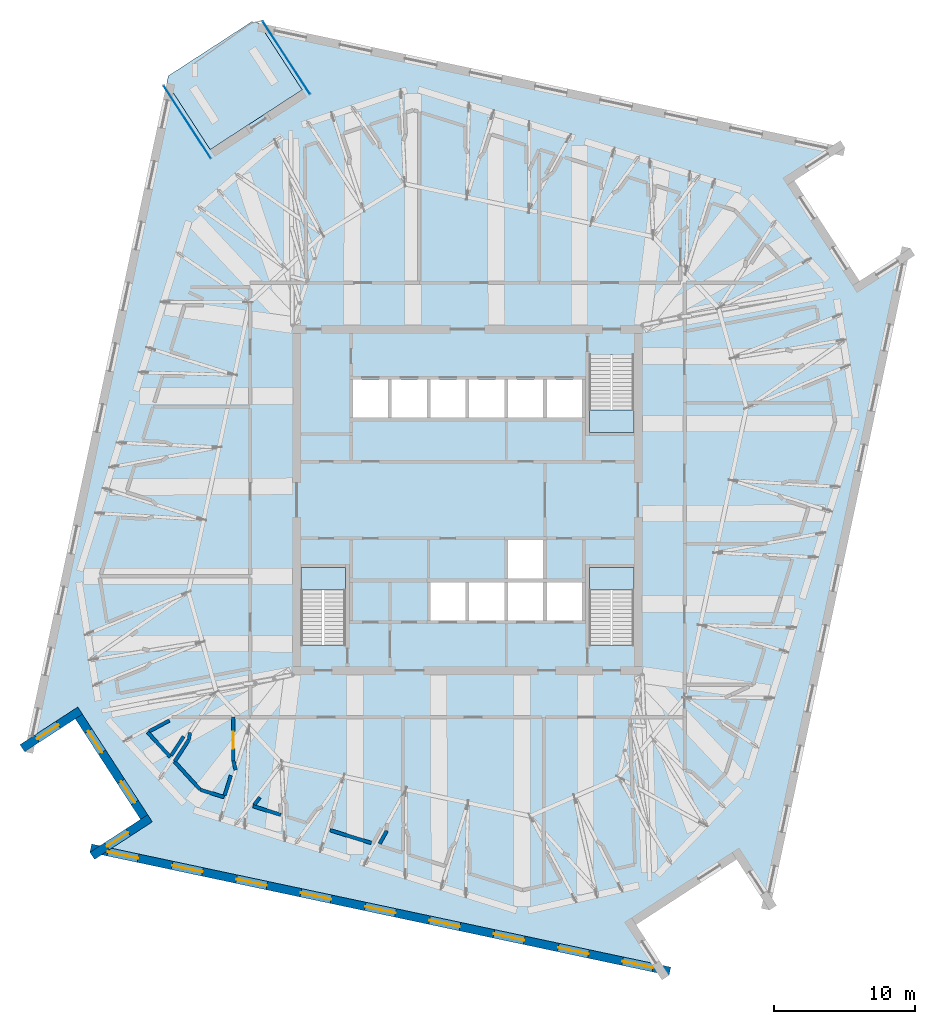
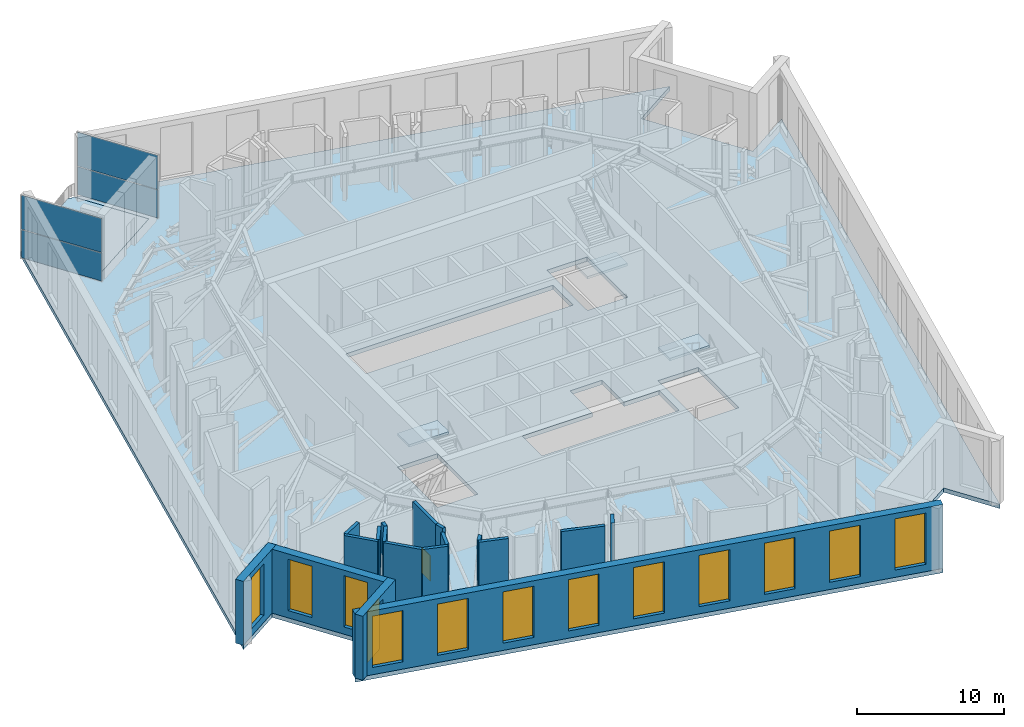
# One storey, part 6 of 19: 18 walls, 13 windows, 5 slabs, 4 plates, 1 door, 14 openings, 5 elements without a shape of their own.
"""IFC4 building model written with IfcOpenShell, lengths in metres."""

from ifc_helpers import new_model, si_unit, direction, frame, frame_2d, origin, origin_2d, place, context, subcontext, project, spatial, polyline, rectangle, outline, extrude, material, layer, layer_set, type_object, element, fill, aggregate, save


model = new_model("IFC4")

# Units and contexts
model_context = context("Model", 3, precision=1e-05, world=origin(), true_north=direction((0.0, 1.0)))
body_context = subcontext(model_context, "Body", "Model", "MODEL_VIEW")
ifc_project = project(units=[si_unit("LENGTHUNIT", "METRE"), si_unit("AREAUNIT", "SQUARE_METRE"), si_unit("VOLUMEUNIT", "CUBIC_METRE"), si_unit("PLANEANGLEUNIT", "RADIAN"), si_unit("MASSUNIT", "GRAM", prefix="KILO")], contexts=[model_context])

# Site, building, storey
site_placement = place(None, origin())
site = spatial("IfcSite", under=ifc_project, at=site_placement, CompositionType="ELEMENT")
building_placement = place(site_placement, origin())
building = spatial("IfcBuilding", under=site, at=building_placement, Name="Dilmun Exchange Tower", CompositionType="ELEMENT")
storey_placement = place(building_placement, frame((0.0, 0.0, 344.5)))
storey = spatial("IfcBuildingStorey", under=building, at=storey_placement, Name="L82", CompositionType="ELEMENT", Elevation=344.5)

# Stair, slab
ifc_material_1 = material(Name="Concrete C40/50", Category="concrete")
stair_type = type_object("IfcStairType", Name="Exit stair 1500 half-turn", PredefinedType="HALF_TURN_STAIR", material=ifc_material_1)
stair_1_placement = place(storey_placement, origin())
stair_1 = element("IfcStair", 1, at=stair_1_placement, inside=storey, type_object=stair_type, Name="L82 Protected exit stair ST1", PredefinedType="HALF_TURN_STAIR")
ifc_layer_1 = layer(ifc_material_1, 0.199951171875)
ifc_layer_set_1 = layer_set([ifc_layer_1], Name="Concrete C40/50")
slab_type_1 = type_object("IfcSlabType", Name="Exit stair landing 200", PredefinedType="LANDING", material=ifc_layer_set_1)
slab_1_placement = place(storey_placement, frame((0.0, 0.0, 2.60009765625)))
slab_1 = element("IfcSlab", 2, at=slab_1_placement, type_object=slab_type_1, Name="ST1 landing 1", PredefinedType="LANDING", context=body_context, shape_type="SweptSolid", body=[
    extrude(outline(polyline([(8.64990234375, 6.3798828125), (8.64990234375, 4.800048828125), (11.800048828125, 4.800048828125), (11.800048828125, 6.3798828125), (8.64990234375, 6.3798828125)])), origin(), (0.0, 0.0, 1.0), 0.199951171875),
])
aggregate(stair_1, [slab_1])

stair_2_placement = place(storey_placement, origin())
stair_2 = element("IfcStair", 3, at=stair_2_placement, inside=storey, type_object=stair_type, Name="L82 Protected exit stair ST2", PredefinedType="HALF_TURN_STAIR")
slab_2_placement = place(storey_placement, frame((0.0, 0.0, 2.60009765625)))
slab_2 = element("IfcSlab", 4, at=slab_2_placement, type_object=slab_type_1, Name="ST2 landing 1", PredefinedType="LANDING", context=body_context, shape_type="SweptSolid", body=[
    extrude(outline(polyline([(-8.64990234375, -6.3798828125), (-8.64990234375, -4.800048828125), (-11.800048828125, -4.800048828125), (-11.800048828125, -6.3798828125), (-8.64990234375, -6.3798828125)])), origin(), (0.0, 0.0, 1.0), 0.199951171875),
])
aggregate(stair_2, [slab_2])

stair_3_placement = place(storey_placement, origin())
stair_3 = element("IfcStair", 5, at=stair_3_placement, inside=storey, type_object=stair_type, Name="L82 Protected exit stair ST3", PredefinedType="HALF_TURN_STAIR")
slab_3_placement = place(storey_placement, frame((0.0, 0.0, 2.60009765625)))
slab_3 = element("IfcSlab", 6, at=slab_3_placement, type_object=slab_type_1, Name="ST3 landing 1", PredefinedType="LANDING", context=body_context, shape_type="SweptSolid", body=[
    extrude(outline(polyline([(11.800048828125, -6.3798828125), (11.800048828125, -4.800048828125), (8.64990234375, -4.800048828125), (8.64990234375, -6.3798828125), (11.800048828125, -6.3798828125)])), origin(), (0.0, 0.0, 1.0), 0.199951171875),
])
aggregate(stair_3, [slab_3])

# Curtain wall, plates
ifc_material_2 = material(Name="Anodised aluminium and clear glass", Category="aluminium")
curtain_wall_type = type_object("IfcCurtainWallType", Name="Garden corner glazing", PredefinedType="NOTDEFINED", material=ifc_material_2)
curtain_wall_1_placement = place(storey_placement, origin())
curtain_wall_1 = element("IfcCurtainWall", 7, at=curtain_wall_1_placement, inside=storey, type_object=curtain_wall_type, Name="Garden corner glazing run GC1.1", PredefinedType="NOTDEFINED")
ifc_material_3 = material(Name="Clear glass", Category="glass")
ifc_layer_2 = layer(ifc_material_3, 0.028076171875)
ifc_layer_set_2 = layer_set([ifc_layer_2], Name="Clear glass")
plate_type = type_object("IfcPlateType", Name="Garden corner glazing glass panel 28", PredefinedType="CURTAIN_PANEL", material=ifc_layer_set_2)
plate_1_placement = place(storey_placement, frame((-12.840087890625, 31.358642578125, 0.06005859375), z_axis=(0.0, 0.0, 1.0), x_axis=(0.54463322932, -0.838674338179, 0.0)))
plate_1 = element("IfcPlate", 8, at=plate_1_placement, type_object=plate_type, Name="GC1.1 panel 1.1", PredefinedType="CURTAIN_PANEL", context=body_context, shape_type="SweptSolid", body=[
    extrude(rectangle(XDim=6.12646484375, YDim=0.028076171875, at=origin_2d()), origin(), (0.0, 0.0, 1.0), 2.31005859375),
])
plate_2_placement = place(storey_placement, frame((-12.840087890625, 31.358642578125, 2.429931640625), z_axis=(0.0, 0.0, 1.0), x_axis=(0.54463322932, -0.838674338179, 0.0)))
plate_2 = element("IfcPlate", 9, at=plate_2_placement, type_object=plate_type, Name="GC1.1 panel 1.2", PredefinedType="CURTAIN_PANEL", context=body_context, shape_type="SweptSolid", body=[
    extrude(rectangle(XDim=6.12646484375, YDim=0.028076171875, at=origin_2d()), origin(), (0.0, 0.0, 1.0), 2.81005859375),
])
aggregate(curtain_wall_1, [plate_1, plate_2])

curtain_wall_2_placement = place(storey_placement, origin())
curtain_wall_2 = element("IfcCurtainWall", 10, at=curtain_wall_2_placement, inside=storey, type_object=curtain_wall_type, Name="Garden corner glazing run GC3.1", PredefinedType="NOTDEFINED")
plate_3_placement = place(storey_placement, frame((-19.86669921875, 26.79541015625, 0.06005859375), z_axis=(0.0, 0.0, 1.0), x_axis=(-0.54463322932, 0.838674338179, 0.0)))
plate_3 = element("IfcPlate", 11, at=plate_3_placement, type_object=plate_type, Name="GC3.1 panel 1.1", PredefinedType="CURTAIN_PANEL", context=body_context, shape_type="SweptSolid", body=[
    extrude(rectangle(XDim=6.12646484375, YDim=0.028076171875, at=origin_2d()), origin(), (0.0, 0.0, 1.0), 2.31005859375),
])
plate_4_placement = place(storey_placement, frame((-19.86669921875, 26.79541015625, 2.429931640625), z_axis=(0.0, 0.0, 1.0), x_axis=(-0.54463322932, 0.838674338179, 0.0)))
plate_4 = element("IfcPlate", 12, at=plate_4_placement, type_object=plate_type, Name="GC3.1 panel 1.2", PredefinedType="CURTAIN_PANEL", context=body_context, shape_type="SweptSolid", body=[
    extrude(rectangle(XDim=6.12646484375, YDim=0.028076171875, at=origin_2d()), origin(), (0.0, 0.0, 1.0), 2.81005859375),
])
aggregate(curtain_wall_2, [plate_3, plate_4])

# Slabs
ifc_layer_3 = layer(ifc_material_1, 0.35009765625)
ifc_layer_set_3 = layer_set([ifc_layer_3], Name="Concrete C40/50")
slab_type_2 = type_object("IfcSlabType", Name="RC floor slab 350", PredefinedType="FLOOR", material=ifc_layer_set_3)
slab_4_placement = place(storey_placement, frame((0.0, 0.0, -0.35009765625)))
element("IfcSlab", 13, at=slab_4_placement, inside=storey, type_object=slab_type_2, Name="Floor slab", PredefinedType="FLOOR", context=body_context, shape_type="SweptSolid", body=[
    extrude(outline(polyline([(23.174072265625, 22.646484375), (27.8037109375, 15.517578125), (31.397705078125, 17.851806640625), (21.42236328125, -29.0791015625), (19.088134765625, -25.48486328125), (11.95947265625, -30.1142578125), (14.293701171875, -33.70849609375), (-26.768310546875, -24.98046875), (-23.174072265625, -22.646484375), (-27.8037109375, -15.517578125), (-31.397705078125, -17.851806640625), (-21.316162109375, 29.578125), (-18.240966796875, 24.8427734375), (-11.717529296875, 29.0791015625), (-14.792724609375, 33.814453125), (26.768310546875, 24.98046875), (23.174072265625, 22.646484375)]), holes=[polyline([(-8.64990234375, -4.800048828125), (-11.800048828125, -4.800048828125), (-11.800048828125, -10.294921875), (-8.64990234375, -10.294921875), (-8.64990234375, -4.800048828125)]), polyline([(11.800048828125, -4.800048828125), (8.64990234375, -4.800048828125), (8.64990234375, -10.294921875), (11.800048828125, -10.294921875), (11.800048828125, -4.800048828125)]), polyline([(2.875, -5.85009765625), (-2.625, -5.85009765625), (-2.625, -8.550048828125), (8.125, -8.550048828125), (8.125, -5.85009765625), (5.375, -5.85009765625), (5.375, -2.85009765625), (2.875, -2.85009765625), (2.875, -5.85009765625)]), polyline([(8.125, 5.85009765625), (8.125, 8.550048828125), (-8.125, 8.550048828125), (-8.125, 5.85009765625), (8.125, 5.85009765625)]), polyline([(8.64990234375, 10.294921875), (8.64990234375, 4.800048828125), (11.800048828125, 4.800048828125), (11.800048828125, 10.294921875), (8.64990234375, 10.294921875)])]), origin(), (0.0, 0.0, 1.0), 0.35009765625),
])
ifc_layer_4 = layer(ifc_material_1, 0.300048828125)
ifc_layer_set_4 = layer_set([ifc_layer_4], Name="Concrete C40/50")
slab_type_3 = type_object("IfcSlabType", Name="RC garden terrace slab 300", PredefinedType="FLOOR", material=ifc_layer_set_4)
slab_5_placement = place(storey_placement, frame((0.0, 0.0, -0.300048828125)))
element("IfcSlab", 14, at=slab_5_placement, inside=storey, type_object=slab_type_3, Name="Garden terrace slab", PredefinedType="FLOOR", context=body_context, shape_type="SweptSolid", body=[
    extrude(outline(polyline([(-18.240966796875, 24.8427734375), (-21.316162109375, 29.578125), (-21.212158203125, 30.0673828125), (-15.281982421875, 33.91845703125), (-14.792724609375, 33.814453125), (-11.717529296875, 29.0791015625), (-18.240966796875, 24.8427734375)])), origin(), (0.0, 0.0, 1.0), 0.300048828125),
])

# Walls
ifc_material_4 = material(Name="Concrete C32/40", Category="concrete")
ifc_layer_5 = layer(ifc_material_4, 0.25)
ifc_layer_set_5 = layer_set([ifc_layer_5], Name="Concrete C32/40")
wall_type_1 = type_object("IfcWallType", Name="Plant room wall 250", PredefinedType="PARTITIONING", material=ifc_layer_set_5)
wall_1_placement = place(storey_placement, frame((-6.228271484375, -24.37060546875, 0.0), z_axis=(0.0, 0.0, 1.0), x_axis=(0.482442640443, 0.875927564746, 0.0)))
element("IfcWall", 15, at=wall_1_placement, inside=storey, type_object=wall_type_1, Name="L82 plant room wall 17", PredefinedType="PARTITIONING", context=body_context, shape_type="SweptSolid", body=[
    extrude(rectangle(XDim=1.037353515625, YDim=0.25, at=frame_2d((0.5185546875, 0.0))), origin(), (0.0, 0.0, 1.0), 5.300048828125),
])
wall_2_placement = place(storey_placement, frame((-9.728271484375, -23.416259765625, 0.0), z_axis=(0.0, 0.0, 1.0), x_axis=(0.954716292959, -0.297517730496, 0.0)))
element("IfcWall", 16, at=wall_2_placement, inside=storey, type_object=wall_type_1, Name="L82 plant room wall 19", PredefinedType="PARTITIONING", context=body_context, shape_type="SweptSolid", body=[
    extrude(rectangle(XDim=3.047607421875, YDim=0.25, at=frame_2d((1.52392578125, 0.0))), origin(), (0.0, 0.0, 1.0), 5.300048828125),
])
wall_3_placement = place(storey_placement, frame((-15.196533203125, -21.7119140625, 0.0), z_axis=(0.0, 0.0, 1.0), x_axis=(0.954684165817, -0.297620804949, 0.0)))
element("IfcWall", 17, at=wall_3_placement, inside=storey, type_object=wall_type_1, Name="L82 plant room wall 30", PredefinedType="PARTITIONING", context=body_context, shape_type="SweptSolid", body=[
    extrude(rectangle(XDim=2.0615234375, YDim=0.25, at=frame_2d((1.03076171875, 0.0))), origin(), (0.0, 0.0, 1.0), 5.300048828125),
])
wall_4_placement = place(storey_placement, frame((-15.11328125, -21.601806640625, 0.0), z_axis=(0.0, 0.0, 1.0), x_axis=(0.602746629352, 0.797932641772, 0.0)))
element("IfcWall", 18, at=wall_4_placement, inside=storey, type_object=wall_type_1, Name="L82 plant room wall 34", PredefinedType="PARTITIONING", context=body_context, shape_type="SweptSolid", body=[
    extrude(rectangle(XDim=0.63916015625, YDim=0.25, at=frame_2d((0.319580078125, 0.0))), origin(), (0.0, 0.0, 1.0), 5.300048828125),
])
wall_5_placement = place(storey_placement, frame((-18.9404296875, -20.54541015625, 0.0), z_axis=(0.0, 0.0, 1.0), x_axis=(0.95472472201, -0.297490680834, 0.0)))
element("IfcWall", 19, at=wall_5_placement, inside=storey, type_object=wall_type_1, Name="L82 plant room wall 37", PredefinedType="PARTITIONING", context=body_context, shape_type="SweptSolid", body=[
    extrude(rectangle(XDim=1.772705078125, YDim=0.25, at=frame_2d((0.88623046875, 0.0))), origin(), (0.0, 0.0, 1.0), 5.300048828125),
])
wall_6_placement = place(storey_placement, frame((-20.767578125, -18.551025390625, 0.0), z_axis=(0.0, 0.0, 1.0), x_axis=(0.6755402779, -0.737323085855, 0.0)))
element("IfcWall", 20, at=wall_6_placement, inside=storey, type_object=wall_type_1, Name="L82 plant room wall 38", PredefinedType="PARTITIONING", context=body_context, shape_type="SweptSolid", body=[
    extrude(rectangle(XDim=2.698974609375, YDim=0.25, at=frame_2d((1.349609375, 0.0))), origin(), (0.0, 0.0, 1.0), 5.300048828125),
])
wall_7_placement = place(storey_placement, frame((-17.209228515625, -20.948486328125, 0.0), z_axis=(0.0, 0.0, 1.0), x_axis=(0.297482665871, 0.954727219422, 0.0)))
element("IfcWall", 21, at=wall_7_placement, inside=storey, type_object=wall_type_1, Name="L82 plant room wall 40", PredefinedType="PARTITIONING", context=body_context, shape_type="SweptSolid", body=[
    extrude(rectangle(XDim=1.473876953125, YDim=0.25, at=frame_2d((0.73681640625, 0.0))), origin(), (0.0, 0.0, 1.0), 5.300048828125),
])
wall_8_placement = place(storey_placement, frame((-16.60009765625, -18.497314453125, 0.0), z_axis=(0.0, 0.0, 1.0), x_axis=(0.264769743837, -0.964311662663, 0.0)))
element("IfcWall", 22, at=wall_8_placement, inside=storey, type_object=wall_type_1, Name="L82 plant room wall 43", PredefinedType="PARTITIONING", context=body_context, shape_type="SweptSolid", body=[
    extrude(rectangle(XDim=0.675048828125, YDim=0.25, at=frame_2d((0.33740234375, 0.0))), origin(), (0.0, 0.0, 1.0), 5.300048828125),
])
wall_9_placement = place(storey_placement, frame((-20.756591796875, -18.5341796875, 0.0), z_axis=(0.0, 0.0, 1.0), x_axis=(0.546771742196, 0.837281710021, 0.0)))
element("IfcWall", 23, at=wall_9_placement, inside=storey, type_object=wall_type_1, Name="L82 plant room wall 45", PredefinedType="PARTITIONING", context=body_context, shape_type="SweptSolid", body=[
    extrude(rectangle(XDim=1.83203125, YDim=0.25, at=frame_2d((0.916015625, 0.0))), origin(), (0.0, 0.0, 1.0), 5.300048828125),
])

# Wall, opening, door
wall_10_placement = place(storey_placement, frame((-16.60009765625, -18.4921875, 0.0), z_axis=(0.0, 0.0, 1.0), x_axis=(0.0, 1.0, 0.0)))
wall_10 = element("IfcWall", 24, at=wall_10_placement, inside=storey, type_object=wall_type_1, Name="L82 plant room wall 46", PredefinedType="PARTITIONING", context=body_context, shape_type="SweptSolid", body=[
    extrude(rectangle(XDim=3.09228515625, YDim=0.25, at=frame_2d((1.546142578125, 0.0))), origin(), (0.0, 0.0, 1.0), 5.300048828125),
])
opening_1_placement = place(wall_10_placement, frame((0.86669921875, 0.0, 0.0)))
opening_1 = element("IfcOpeningElement", 25, at=opening_1_placement, cuts=wall_10, Name="Opening PD2", PredefinedType="OPENING", context=body_context, shape_type="SweptSolid", body=[
    extrude(rectangle(XDim=1.199951171875, YDim=2.10009765625, at=frame_2d((0.60009765625, 1.050048828125))), frame((0.0, 0.135009765625, 0.0), z_axis=(0.0, -1.0, 0.0), x_axis=(1.0, 0.0, 0.0)), (0.0, 0.0, 1.0), 0.27001953125),
])
ifc_material_5 = material(Name="Fire-rated steel door set", Category="steel")
door_type = type_object("IfcDoorType", Name="Plant room door 1200x2100", OperationType="SINGLE_SWING_LEFT", PredefinedType="DOOR", material=ifc_material_5)
door_placement = place(opening_1_placement, origin())
door = element("IfcDoor", 26, at=door_placement, inside=storey, type_object=door_type, Name="L82 door Electrical plant room", OperationType="SINGLE_SWING_RIGHT", OverallHeight=2.10009765625, OverallWidth=1.199951171875, PredefinedType="DOOR", context=body_context, shape_type="SweptSolid", body=[
    extrude(rectangle(XDim=1.199951171875, YDim=2.10009765625, at=frame_2d((0.60009765625, 1.050048828125))), frame((0.0, 0.02490234375, 0.0), z_axis=(0.0, -1.0, 0.0), x_axis=(1.0, 0.0, 0.0)), (0.0, 0.0, 1.0), 0.050048828125),
])
fill(opening_1, door)

# Walls
wall_11_placement = place(storey_placement, frame((-22.680419921875, -16.463134765625, 0.0), z_axis=(0.0, 0.0, 1.0), x_axis=(0.675511338211, -0.737349599545, 0.0)))
element("IfcWall", 27, at=wall_11_placement, inside=storey, type_object=wall_type_1, Name="L82 plant room wall 47", PredefinedType="PARTITIONING", context=body_context, shape_type="SweptSolid", body=[
    extrude(rectangle(XDim=2.384521484375, YDim=0.25, at=frame_2d((1.1923828125, 0.0))), origin(), (0.0, 0.0, 1.0), 5.300048828125),
])
wall_12_placement = place(storey_placement, frame((-19.74462890625, -16.972900390625, 0.0), z_axis=(0.0, 0.0, 1.0), x_axis=(0.141774522204, 0.989898977095, 0.0)))
element("IfcWall", 28, at=wall_12_placement, inside=storey, type_object=wall_type_1, Name="L82 plant room wall 48", PredefinedType="PARTITIONING", context=body_context, shape_type="SweptSolid", body=[
    extrude(rectangle(XDim=0.48388671875, YDim=0.25, at=frame_2d((0.241943359375, 0.0))), origin(), (0.0, 0.0, 1.0), 5.300048828125),
])
wall_13_placement = place(storey_placement, frame((-20.99609375, -18.109130859375, 0.0), z_axis=(0.0, 0.0, 1.0), x_axis=(0.546717180578, 0.837317337968, 0.0)))
element("IfcWall", 29, at=wall_13_placement, inside=storey, type_object=wall_type_1, Name="L82 plant room wall 50", PredefinedType="PARTITIONING", context=body_context, shape_type="SweptSolid", body=[
    extrude(rectangle(XDim=1.607177734375, YDim=0.25, at=frame_2d((0.8037109375, 0.0))), origin(), (0.0, 0.0, 1.0), 5.300048828125),
])
wall_14_placement = place(storey_placement, frame((-22.56201171875, -16.39990234375, 0.0), z_axis=(0.0, 0.0, 1.0), x_axis=(0.881814029952, 0.471597303406, 0.0)))
element("IfcWall", 30, at=wall_14_placement, inside=storey, type_object=wall_type_1, Name="L82 plant room wall 51", PredefinedType="PARTITIONING", context=body_context, shape_type="SweptSolid", body=[
    extrude(rectangle(XDim=1.60693359375, YDim=0.25, at=frame_2d((0.803466796875, 0.0))), origin(), (0.0, 0.0, 1.0), 5.300048828125),
])

# Wall, opening, window
ifc_material_6 = material(Name="Precast concrete C50/60", Category="concrete")
ifc_layer_6 = layer(ifc_material_6, 0.60009765625)
ifc_layer_set_6 = layer_set([ifc_layer_6], Name="Precast concrete C50/60")
wall_type_2 = type_object("IfcWallType", Name="Precast stone-clad wall 600", PredefinedType="STANDARD", material=ifc_layer_set_6)
wall_15_placement = place(storey_placement, frame((-31.56103515625, -17.60009765625, 0.0), z_axis=(0.0, 0.0, 1.0), x_axis=(0.838670742256, 0.5446387666, 0.0)))
wall_15 = element("IfcWall", 31, at=wall_15_placement, inside=storey, type_object=wall_type_2, Name="Facade wall L82-04", PredefinedType="STANDARD", context=body_context, shape_type="SweptSolid", body=[
    extrude(rectangle(XDim=4.885498046875, YDim=0.60009765625, at=frame_2d((2.44287109375, 0.0))), origin(), (0.0, 0.0, 1.0), 5.300048828125),
])
opening_2_placement = place(wall_15_placement, frame((1.242919921875, 0.0, 0.60009765625)))
opening_2 = element("IfcOpeningElement", 32, at=opening_2_placement, cuts=wall_15, Name="Opening LV180-425", PredefinedType="OPENING", context=body_context, shape_type="SweptSolid", body=[
    extrude(rectangle(XDim=1.800048828125, YDim=4.25, at=frame_2d((0.89990234375, 2.125))), frame((0.0, 0.31005859375, 0.0), z_axis=(0.0, -1.0, 0.0), x_axis=(1.0, 0.0, 0.0)), (0.0, 0.0, 1.0), 0.6201171875),
])
ifc_material_7 = material(Name="Anodised aluminium louvre blades with sand trap", Category="aluminium")
window_type_1 = type_object("IfcWindowType", Name="Plant louvre 1800 x 4250", PartitioningType="SINGLE_PANEL", PredefinedType="USERDEFINED", material=ifc_material_7)
window_1_placement = place(opening_2_placement, origin())
window_1 = element("IfcWindow", 33, at=window_1_placement, inside=storey, type_object=window_type_1, Name="Plant louvre 5.1", ObjectType="LOUVRE", OverallHeight=4.25, OverallWidth=1.800048828125, PartitioningType="SINGLE_PANEL", PredefinedType="USERDEFINED", context=body_context, shape_type="SweptSolid", body=[
    extrude(rectangle(XDim=1.800048828125, YDim=4.25, at=frame_2d((0.89990234375, 2.125))), frame((0.0, 0.030029296875, 0.0), z_axis=(0.0, -1.0, 0.0), x_axis=(1.0, 0.0, 0.0)), (0.0, 0.0, 1.0), 0.06005859375),
])
fill(opening_2, window_1)

# Wall, openings, windows
wall_16_placement = place(storey_placement, frame((-27.552001953125, -15.354248046875, 0.0), z_axis=(0.0, 0.0, 1.0), x_axis=(0.544637978142, -0.838671254286, 0.0)))
wall_16 = element("IfcWall", 34, at=wall_16_placement, inside=storey, type_object=wall_type_2, Name="Facade wall L82-05", PredefinedType="STANDARD", context=body_context, shape_type="SweptSolid", body=[
    extrude(rectangle(XDim=8.5, YDim=0.60009765625, at=frame_2d((4.25, 0.0))), origin(), (0.0, 0.0, 1.0), 5.300048828125),
])
opening_3_placement = place(wall_16_placement, frame((1.22509765625, 0.0, 0.60009765625)))
opening_3 = element("IfcOpeningElement", 35, at=opening_3_placement, cuts=wall_16, Name="Opening LV180-425", PredefinedType="OPENING", context=body_context, shape_type="SweptSolid", body=[
    extrude(rectangle(XDim=1.800048828125, YDim=4.25, at=frame_2d((0.89990234375, 2.125))), frame((0.0, 0.31005859375, 0.0), z_axis=(0.0, -1.0, 0.0), x_axis=(1.0, 0.0, 0.0)), (0.0, 0.0, 1.0), 0.6201171875),
])
opening_4_placement = place(wall_16_placement, frame((5.47509765625, 0.0, 0.60009765625)))
opening_4 = element("IfcOpeningElement", 36, at=opening_4_placement, cuts=wall_16, Name="Opening LV180-425", PredefinedType="OPENING", context=body_context, shape_type="SweptSolid", body=[
    extrude(rectangle(XDim=1.800048828125, YDim=4.25, at=frame_2d((0.89990234375, 2.125))), frame((0.0, 0.31005859375, 0.0), z_axis=(0.0, -1.0, 0.0), x_axis=(1.0, 0.0, 0.0)), (0.0, 0.0, 1.0), 0.6201171875),
])
window_2_placement = place(opening_3_placement, origin())
window_2 = element("IfcWindow", 37, at=window_2_placement, inside=storey, type_object=window_type_1, Name="Plant louvre 6.1", ObjectType="LOUVRE", OverallHeight=4.25, OverallWidth=1.800048828125, PartitioningType="SINGLE_PANEL", PredefinedType="USERDEFINED", context=body_context, shape_type="SweptSolid", body=[
    extrude(rectangle(XDim=1.800048828125, YDim=4.25, at=frame_2d((0.89990234375, 2.125))), frame((0.0, 0.030029296875, 0.0), z_axis=(0.0, -1.0, 0.0), x_axis=(1.0, 0.0, 0.0)), (0.0, 0.0, 1.0), 0.06005859375),
])
fill(opening_3, window_2)
window_3_placement = place(opening_4_placement, origin())
window_3 = element("IfcWindow", 38, at=window_3_placement, inside=storey, type_object=window_type_1, Name="Plant louvre 6.2", ObjectType="LOUVRE", OverallHeight=4.25, OverallWidth=1.800048828125, PartitioningType="SINGLE_PANEL", PredefinedType="USERDEFINED", context=body_context, shape_type="SweptSolid", body=[
    extrude(rectangle(XDim=1.800048828125, YDim=4.25, at=frame_2d((0.89990234375, 2.125))), frame((0.0, 0.030029296875, 0.0), z_axis=(0.0, -1.0, 0.0), x_axis=(1.0, 0.0, 0.0)), (0.0, 0.0, 1.0), 0.06005859375),
])
fill(opening_4, window_3)

# Wall, opening, window
wall_17_placement = place(storey_placement, frame((-22.507568359375, -22.5712890625, 0.0), z_axis=(0.0, 0.0, 1.0), x_axis=(-0.838693567727, -0.54460361682, 0.0)))
wall_17 = element("IfcWall", 39, at=wall_17_placement, inside=storey, type_object=wall_type_2, Name="Facade wall L82-06", PredefinedType="STANDARD", context=body_context, shape_type="SweptSolid", body=[
    extrude(rectangle(XDim=4.885498046875, YDim=0.60009765625, at=frame_2d((2.44287109375, 0.0))), origin(), (0.0, 0.0, 1.0), 5.300048828125),
])
opening_5_placement = place(wall_17_placement, frame((1.8427734375, 0.0, 0.60009765625)))
opening_5 = element("IfcOpeningElement", 40, at=opening_5_placement, cuts=wall_17, Name="Opening LV180-425", PredefinedType="OPENING", context=body_context, shape_type="SweptSolid", body=[
    extrude(rectangle(XDim=1.800048828125, YDim=4.25, at=frame_2d((0.89990234375, 2.125))), frame((0.0, 0.31005859375, 0.0), z_axis=(0.0, -1.0, 0.0), x_axis=(1.0, 0.0, 0.0)), (0.0, 0.0, 1.0), 0.6201171875),
])
window_4_placement = place(opening_5_placement, origin())
window_4 = element("IfcWindow", 41, at=window_4_placement, inside=storey, type_object=window_type_1, Name="Plant louvre 7.1", ObjectType="LOUVRE", OverallHeight=4.25, OverallWidth=1.800048828125, PartitioningType="SINGLE_PANEL", PredefinedType="USERDEFINED", context=body_context, shape_type="SweptSolid", body=[
    extrude(rectangle(XDim=1.800048828125, YDim=4.25, at=frame_2d((0.89990234375, 2.125))), frame((0.0, 0.030029296875, 0.0), z_axis=(0.0, -1.0, 0.0), x_axis=(1.0, 0.0, 0.0)), (0.0, 0.0, 1.0), 0.06005859375),
])
fill(opening_5, window_4)

# Wall, openings, windows
wall_18_placement = place(storey_placement, frame((-26.705810546875, -24.68701171875, 0.0), z_axis=(0.0, 0.0, 1.0), x_axis=(0.978147216992, -0.207913496171, 0.0)))
wall_18 = element("IfcWall", 42, at=wall_18_placement, inside=storey, type_object=wall_type_2, Name="Facade wall L82-07", PredefinedType="STANDARD", context=body_context, shape_type="SweptSolid", body=[
    extrude(rectangle(XDim=41.979248046875, YDim=0.60009765625, at=frame_2d((20.98974609375, 0.0))), origin(), (0.0, 0.0, 1.0), 5.300048828125),
])
opening_6_placement = place(wall_18_placement, frame((1.232177734375, 0.0, 0.60009765625)))
opening_6 = element("IfcOpeningElement", 43, at=opening_6_placement, cuts=wall_18, Name="Opening LV220-425", PredefinedType="OPENING", context=body_context, shape_type="SweptSolid", body=[
    extrude(rectangle(XDim=2.199951171875, YDim=4.25, at=frame_2d((1.10009765625, 2.125))), frame((0.0, 0.31005859375, 0.0), z_axis=(0.0, -1.0, 0.0), x_axis=(1.0, 0.0, 0.0)), (0.0, 0.0, 1.0), 0.6201171875),
])
opening_7_placement = place(wall_18_placement, frame((5.896484375, 0.0, 0.60009765625)))
opening_7 = element("IfcOpeningElement", 44, at=opening_7_placement, cuts=wall_18, Name="Opening LV220-425", PredefinedType="OPENING", context=body_context, shape_type="SweptSolid", body=[
    extrude(rectangle(XDim=2.199951171875, YDim=4.25, at=frame_2d((1.10009765625, 2.125))), frame((0.0, 0.31005859375, 0.0), z_axis=(0.0, -1.0, 0.0), x_axis=(1.0, 0.0, 0.0)), (0.0, 0.0, 1.0), 0.6201171875),
])
opening_8_placement = place(wall_18_placement, frame((10.560791015625, 0.0, 0.60009765625)))
opening_8 = element("IfcOpeningElement", 45, at=opening_8_placement, cuts=wall_18, Name="Opening LV220-425", PredefinedType="OPENING", context=body_context, shape_type="SweptSolid", body=[
    extrude(rectangle(XDim=2.199951171875, YDim=4.25, at=frame_2d((1.10009765625, 2.125))), frame((0.0, 0.31005859375, 0.0), z_axis=(0.0, -1.0, 0.0), x_axis=(1.0, 0.0, 0.0)), (0.0, 0.0, 1.0), 0.6201171875),
])
opening_9_placement = place(wall_18_placement, frame((15.22509765625, 0.0, 0.60009765625)))
opening_9 = element("IfcOpeningElement", 46, at=opening_9_placement, cuts=wall_18, Name="Opening LV220-425", PredefinedType="OPENING", context=body_context, shape_type="SweptSolid", body=[
    extrude(rectangle(XDim=2.199951171875, YDim=4.25, at=frame_2d((1.10009765625, 2.125))), frame((0.0, 0.31005859375, 0.0), z_axis=(0.0, -1.0, 0.0), x_axis=(1.0, 0.0, 0.0)), (0.0, 0.0, 1.0), 0.6201171875),
])
opening_10_placement = place(wall_18_placement, frame((19.8896484375, 0.0, 0.60009765625)))
opening_10 = element("IfcOpeningElement", 47, at=opening_10_placement, cuts=wall_18, Name="Opening LV220-425", PredefinedType="OPENING", context=body_context, shape_type="SweptSolid", body=[
    extrude(rectangle(XDim=2.199951171875, YDim=4.25, at=frame_2d((1.10009765625, 2.125))), frame((0.0, 0.31005859375, 0.0), z_axis=(0.0, -1.0, 0.0), x_axis=(1.0, 0.0, 0.0)), (0.0, 0.0, 1.0), 0.6201171875),
])
opening_11_placement = place(wall_18_placement, frame((24.553955078125, 0.0, 0.60009765625)))
opening_11 = element("IfcOpeningElement", 48, at=opening_11_placement, cuts=wall_18, Name="Opening LV220-425", PredefinedType="OPENING", context=body_context, shape_type="SweptSolid", body=[
    extrude(rectangle(XDim=2.199951171875, YDim=4.25, at=frame_2d((1.10009765625, 2.125))), frame((0.0, 0.31005859375, 0.0), z_axis=(0.0, -1.0, 0.0), x_axis=(1.0, 0.0, 0.0)), (0.0, 0.0, 1.0), 0.6201171875),
])
opening_12_placement = place(wall_18_placement, frame((29.21826171875, 0.0, 0.60009765625)))
opening_12 = element("IfcOpeningElement", 49, at=opening_12_placement, cuts=wall_18, Name="Opening LV220-425", PredefinedType="OPENING", context=body_context, shape_type="SweptSolid", body=[
    extrude(rectangle(XDim=2.199951171875, YDim=4.25, at=frame_2d((1.10009765625, 2.125))), frame((0.0, 0.31005859375, 0.0), z_axis=(0.0, -1.0, 0.0), x_axis=(1.0, 0.0, 0.0)), (0.0, 0.0, 1.0), 0.6201171875),
])
opening_13_placement = place(wall_18_placement, frame((33.8828125, 0.0, 0.60009765625)))
opening_13 = element("IfcOpeningElement", 50, at=opening_13_placement, cuts=wall_18, Name="Opening LV220-425", PredefinedType="OPENING", context=body_context, shape_type="SweptSolid", body=[
    extrude(rectangle(XDim=2.199951171875, YDim=4.25, at=frame_2d((1.10009765625, 2.125))), frame((0.0, 0.31005859375, 0.0), z_axis=(0.0, -1.0, 0.0), x_axis=(1.0, 0.0, 0.0)), (0.0, 0.0, 1.0), 0.6201171875),
])
opening_14_placement = place(wall_18_placement, frame((38.547119140625, 0.0, 0.60009765625)))
opening_14 = element("IfcOpeningElement", 51, at=opening_14_placement, cuts=wall_18, Name="Opening LV220-425", PredefinedType="OPENING", context=body_context, shape_type="SweptSolid", body=[
    extrude(rectangle(XDim=2.199951171875, YDim=4.25, at=frame_2d((1.10009765625, 2.125))), frame((0.0, 0.31005859375, 0.0), z_axis=(0.0, -1.0, 0.0), x_axis=(1.0, 0.0, 0.0)), (0.0, 0.0, 1.0), 0.6201171875),
])
window_type_2 = type_object("IfcWindowType", Name="Plant louvre 2200 x 4250", PartitioningType="SINGLE_PANEL", PredefinedType="USERDEFINED", material=ifc_material_7)
window_5_placement = place(opening_6_placement, origin())
window_5 = element("IfcWindow", 52, at=window_5_placement, inside=storey, type_object=window_type_2, Name="Plant louvre 8.1", ObjectType="LOUVRE", OverallHeight=4.25, OverallWidth=2.199951171875, PartitioningType="SINGLE_PANEL", PredefinedType="USERDEFINED", context=body_context, shape_type="SweptSolid", body=[
    extrude(rectangle(XDim=2.199951171875, YDim=4.25, at=frame_2d((1.10009765625, 2.125))), frame((0.0, 0.030029296875, 0.0), z_axis=(0.0, -1.0, 0.0), x_axis=(1.0, 0.0, 0.0)), (0.0, 0.0, 1.0), 0.06005859375),
])
fill(opening_6, window_5)
window_6_placement = place(opening_7_placement, origin())
window_6 = element("IfcWindow", 53, at=window_6_placement, inside=storey, type_object=window_type_2, Name="Plant louvre 8.2", ObjectType="LOUVRE", OverallHeight=4.25, OverallWidth=2.199951171875, PartitioningType="SINGLE_PANEL", PredefinedType="USERDEFINED", context=body_context, shape_type="SweptSolid", body=[
    extrude(rectangle(XDim=2.199951171875, YDim=4.25, at=frame_2d((1.10009765625, 2.125))), frame((0.0, 0.030029296875, 0.0), z_axis=(0.0, -1.0, 0.0), x_axis=(1.0, 0.0, 0.0)), (0.0, 0.0, 1.0), 0.06005859375),
])
fill(opening_7, window_6)
window_7_placement = place(opening_8_placement, origin())
window_7 = element("IfcWindow", 54, at=window_7_placement, inside=storey, type_object=window_type_2, Name="Plant louvre 8.3", ObjectType="LOUVRE", OverallHeight=4.25, OverallWidth=2.199951171875, PartitioningType="SINGLE_PANEL", PredefinedType="USERDEFINED", context=body_context, shape_type="SweptSolid", body=[
    extrude(rectangle(XDim=2.199951171875, YDim=4.25, at=frame_2d((1.10009765625, 2.125))), frame((0.0, 0.030029296875, 0.0), z_axis=(0.0, -1.0, 0.0), x_axis=(1.0, 0.0, 0.0)), (0.0, 0.0, 1.0), 0.06005859375),
])
fill(opening_8, window_7)
window_8_placement = place(opening_9_placement, origin())
window_8 = element("IfcWindow", 55, at=window_8_placement, inside=storey, type_object=window_type_2, Name="Plant louvre 8.4", ObjectType="LOUVRE", OverallHeight=4.25, OverallWidth=2.199951171875, PartitioningType="SINGLE_PANEL", PredefinedType="USERDEFINED", context=body_context, shape_type="SweptSolid", body=[
    extrude(rectangle(XDim=2.199951171875, YDim=4.25, at=frame_2d((1.10009765625, 2.125))), frame((0.0, 0.030029296875, 0.0), z_axis=(0.0, -1.0, 0.0), x_axis=(1.0, 0.0, 0.0)), (0.0, 0.0, 1.0), 0.06005859375),
])
fill(opening_9, window_8)
window_9_placement = place(opening_10_placement, origin())
window_9 = element("IfcWindow", 56, at=window_9_placement, inside=storey, type_object=window_type_2, Name="Plant louvre 8.5", ObjectType="LOUVRE", OverallHeight=4.25, OverallWidth=2.199951171875, PartitioningType="SINGLE_PANEL", PredefinedType="USERDEFINED", context=body_context, shape_type="SweptSolid", body=[
    extrude(rectangle(XDim=2.199951171875, YDim=4.25, at=frame_2d((1.10009765625, 2.125))), frame((0.0, 0.030029296875, 0.0), z_axis=(0.0, -1.0, 0.0), x_axis=(1.0, 0.0, 0.0)), (0.0, 0.0, 1.0), 0.06005859375),
])
fill(opening_10, window_9)
window_10_placement = place(opening_11_placement, origin())
window_10 = element("IfcWindow", 57, at=window_10_placement, inside=storey, type_object=window_type_2, Name="Plant louvre 8.6", ObjectType="LOUVRE", OverallHeight=4.25, OverallWidth=2.199951171875, PartitioningType="SINGLE_PANEL", PredefinedType="USERDEFINED", context=body_context, shape_type="SweptSolid", body=[
    extrude(rectangle(XDim=2.199951171875, YDim=4.25, at=frame_2d((1.10009765625, 2.125))), frame((0.0, 0.030029296875, 0.0), z_axis=(0.0, -1.0, 0.0), x_axis=(1.0, 0.0, 0.0)), (0.0, 0.0, 1.0), 0.06005859375),
])
fill(opening_11, window_10)
window_11_placement = place(opening_12_placement, origin())
window_11 = element("IfcWindow", 58, at=window_11_placement, inside=storey, type_object=window_type_2, Name="Plant louvre 8.7", ObjectType="LOUVRE", OverallHeight=4.25, OverallWidth=2.199951171875, PartitioningType="SINGLE_PANEL", PredefinedType="USERDEFINED", context=body_context, shape_type="SweptSolid", body=[
    extrude(rectangle(XDim=2.199951171875, YDim=4.25, at=frame_2d((1.10009765625, 2.125))), frame((0.0, 0.030029296875, 0.0), z_axis=(0.0, -1.0, 0.0), x_axis=(1.0, 0.0, 0.0)), (0.0, 0.0, 1.0), 0.06005859375),
])
fill(opening_12, window_11)
window_12_placement = place(opening_13_placement, origin())
window_12 = element("IfcWindow", 59, at=window_12_placement, inside=storey, type_object=window_type_2, Name="Plant louvre 8.8", ObjectType="LOUVRE", OverallHeight=4.25, OverallWidth=2.199951171875, PartitioningType="SINGLE_PANEL", PredefinedType="USERDEFINED", context=body_context, shape_type="SweptSolid", body=[
    extrude(rectangle(XDim=2.199951171875, YDim=4.25, at=frame_2d((1.10009765625, 2.125))), frame((0.0, 0.030029296875, 0.0), z_axis=(0.0, -1.0, 0.0), x_axis=(1.0, 0.0, 0.0)), (0.0, 0.0, 1.0), 0.06005859375),
])
fill(opening_13, window_12)
window_13_placement = place(opening_14_placement, origin())
window_13 = element("IfcWindow", 60, at=window_13_placement, inside=storey, type_object=window_type_2, Name="Plant louvre 8.9", ObjectType="LOUVRE", OverallHeight=4.25, OverallWidth=2.199951171875, PartitioningType="SINGLE_PANEL", PredefinedType="USERDEFINED", context=body_context, shape_type="SweptSolid", body=[
    extrude(rectangle(XDim=2.199951171875, YDim=4.25, at=frame_2d((1.10009765625, 2.125))), frame((0.0, 0.030029296875, 0.0), z_axis=(0.0, -1.0, 0.0), x_axis=(1.0, 0.0, 0.0)), (0.0, 0.0, 1.0), 0.06005859375),
])
fill(opening_14, window_13)

save(model, "model.ifc")
